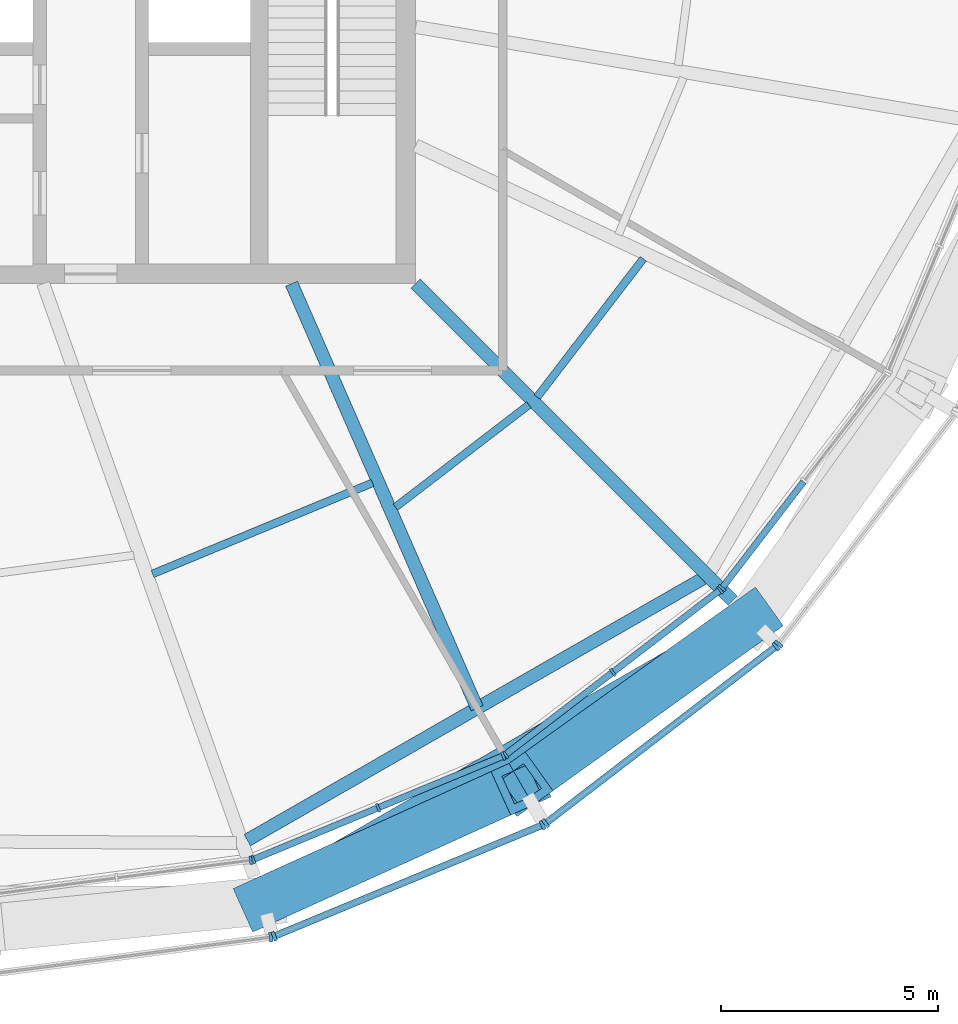
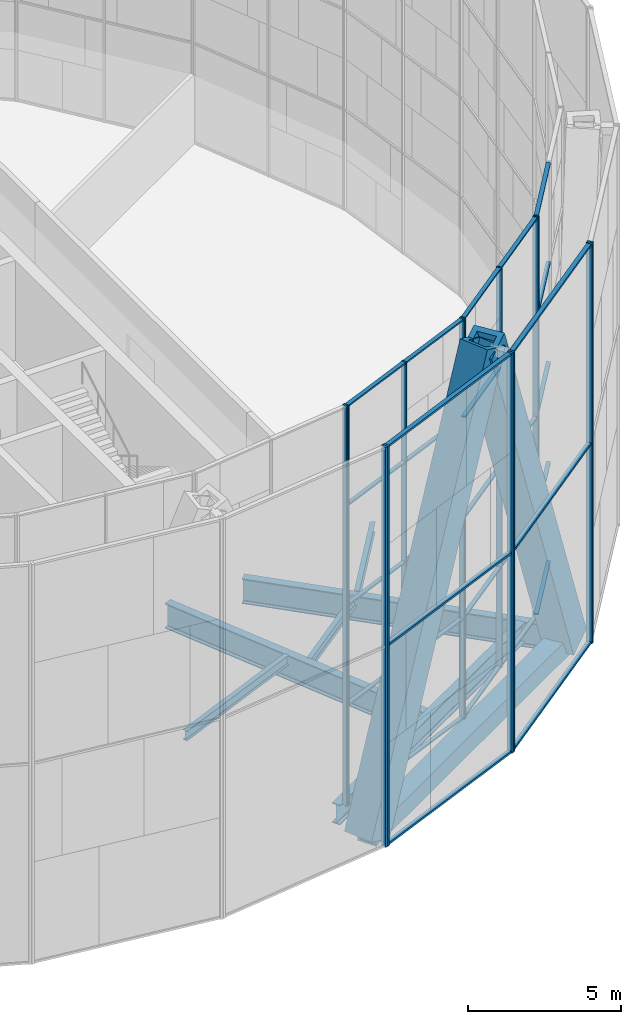
# One storey, part 5 of 30: 47 members, 7 beams, 8 elements without a shape of their own.
"""IFC4 building model written with IfcOpenShell, lengths in metres."""

from ifc_helpers import new_model, si_unit, direction, frame, origin, origin_2d, place, context, subcontext, project, spatial, rectangle, hollow_rectangle, i_section, extrude, material, material_profile, profile_set, type_object, element, aggregate, save


model = new_model("IFC4")

# Units and contexts
model_context = context("Model", 3, precision=1e-05, world=origin(), true_north=direction((0.0, 1.0)))
body_context = subcontext(model_context, "Body", "Model", "MODEL_VIEW")
ifc_project = project(units=[si_unit("LENGTHUNIT", "METRE"), si_unit("AREAUNIT", "SQUARE_METRE"), si_unit("VOLUMEUNIT", "CUBIC_METRE"), si_unit("PLANEANGLEUNIT", "RADIAN"), si_unit("MASSUNIT", "GRAM", prefix="KILO")], contexts=[model_context])

# Site, building, storey
site_placement = place(None, origin())
site = spatial("IfcSite", under=ifc_project, at=site_placement, CompositionType="ELEMENT")
building_placement = place(site_placement, origin())
building = spatial("IfcBuilding", under=site, at=building_placement, Name="Golbaran Civic Tower", CompositionType="ELEMENT")
storey_placement = place(building_placement, frame((0.0, 0.0, 167.0)))
storey = spatial("IfcBuildingStorey", under=building, at=storey_placement, Name="L40", CompositionType="ELEMENT", Elevation=167.0)

# Members
ifc_material_1 = material(Name="Steel S355", Category="steel")
ifc_material_profile_1 = material_profile(ifc_material_1, hollow_rectangle(XDim=1.10009765625, YDim=1.10009765625, WallThickness=0.199951171875, at=origin_2d()), Name="BOX 1100x1100x200")
ifc_profile_set_1 = profile_set([ifc_material_profile_1], Name="Steel S355")
member_type_1 = type_object("IfcMemberType", Name="DIAGRID DIAGONAL BOX 1100x1100x200", PredefinedType="BRACE", material=ifc_profile_set_1)
member_1_placement = place(storey_placement, frame((6.48681640625, -24.208984375, -0.7099609375), z_axis=(0.343627476497, 0.155753672162, 0.926099860169), x_axis=(-0.412834767347, 0.910805936997, 0.0)))
element("IfcMember", 1, at=member_1_placement, inside=storey, type_object=member_type_1, Name="Diagonal D09-09R L40-L44", PredefinedType="BRACE", context=body_context, shape_type="SweptSolid", body=[
    extrude(hollow_rectangle(XDim=1.10009765625, YDim=1.10009765625, WallThickness=0.199951171875, at=origin_2d()), origin(), (0.0, 0.0, 1.0), 17.27685546875),
])
member_2_placement = place(storey_placement, frame((17.72216796875, -17.72216796875, -0.7099609375), z_axis=(-0.306689856884, -0.21971220084, 0.926103601379), x_axis=(0.582374990121, -0.812920273386, 0.0)))
element("IfcMember", 2, at=member_2_placement, inside=storey, type_object=member_type_1, Name="Diagonal D09-10L L40-L44", PredefinedType="BRACE", context=body_context, shape_type="SweptSolid", body=[
    extrude(hollow_rectangle(XDim=1.10009765625, YDim=1.10009765625, WallThickness=0.199951171875, at=origin_2d()), origin(), (0.0, 0.0, 1.0), 17.276611328125),
])

# Beams
ifc_material_profile_2 = material_profile(ifc_material_1, hollow_rectangle(XDim=0.699951171875, YDim=0.699951171875, WallThickness=0.080078125, at=origin_2d()), Name="BOX 700x700x80")
ifc_profile_set_2 = profile_set([ifc_material_profile_2], Name="Steel S355")
beam_type_1 = type_object("IfcBeamType", Name="DIAGRID RING TIE BOX 700x700x80", PredefinedType="BEAM", material=ifc_profile_set_2)
beam_1_placement = place(storey_placement, frame((6.48681640625, -24.208984375, -0.7099609375), z_axis=(0.866022628259, 0.50000480732, 0.0), x_axis=(-0.50000480732, 0.866022628259, 0.0)))
element("IfcBeam", 3, at=beam_1_placement, inside=storey, type_object=beam_type_1, Name="Ring tie 285.00 L40", PredefinedType="BEAM", context=body_context, shape_type="SweptSolid", body=[
    extrude(hollow_rectangle(XDim=0.699951171875, YDim=0.699951171875, WallThickness=0.080078125, at=origin_2d()), origin(), (0.0, 0.0, 1.0), 12.973388671875),
])
ifc_material_profile_3 = material_profile(ifc_material_1, i_section(OverallWidth=0.300048828125, OverallDepth=0.800048828125, WebThickness=0.017578125, FlangeThickness=0.032958984375, FilletRadius=0.030029296875, at=origin_2d()), Name="HEB 800")
ifc_profile_set_3 = profile_set([ifc_material_profile_3], Name="Steel S355")
beam_type_2 = type_object("IfcBeamType", Name="EDGE BEAM HEB 800", PredefinedType="BEAM", material=ifc_profile_set_3)
beam_2_placement = place(storey_placement, frame((6.124755859375, -22.8046875, -0.60009765625), z_axis=(0.867231771738, 0.497904663654, 0.0), x_axis=(-0.497904663654, 0.867231771738, 0.0)))
element("IfcBeam", 4, at=beam_2_placement, inside=storey, type_object=beam_type_2, Name="Edge beam 285.00 L40", PredefinedType="BEAM", context=body_context, shape_type="SweptSolid", body=[
    extrude(i_section(OverallWidth=0.300048828125, OverallDepth=0.800048828125, WebThickness=0.017578125, FlangeThickness=0.032958984375, FilletRadius=0.030029296875, at=origin_2d()), origin(), (0.0, 0.0, 1.0), 12.083740234375),
])
ifc_material_profile_4 = material_profile(ifc_material_1, i_section(OverallWidth=0.179931640625, OverallDepth=0.39990234375, WebThickness=0.008544921875, FlangeThickness=0.013427734375, FilletRadius=0.02099609375, at=origin_2d()), Name="IPE 400")
ifc_profile_set_4 = profile_set([ifc_material_profile_4], Name="Steel S355")
beam_type_3 = type_object("IfcBeamType", Name="FLOOR INFILL BEAM IPE 400", PredefinedType="BEAM", material=ifc_profile_set_4)
beam_3_placement = place(storey_placement, frame((3.944580078125, -16.68017578125, -0.39990234375), z_axis=(0.923892433922, 0.382652284119, 0.0), x_axis=(-0.382652284119, 0.923892433922, 0.0)))
element("IfcBeam", 5, at=beam_3_placement, inside=storey, type_object=beam_type_3, Name="Infill beam 292.50 L40", PredefinedType="BEAM", context=body_context, shape_type="SweptSolid", body=[
    extrude(i_section(OverallWidth=0.179931640625, OverallDepth=0.39990234375, WebThickness=0.008544921875, FlangeThickness=0.013427734375, FilletRadius=0.02099609375, at=origin_2d()), origin(), (0.0, 0.0, 1.0), 5.4775390625),
])
beam_4_placement = place(storey_placement, frame((9.533447265625, -15.1435546875, -0.39990234375), z_axis=(0.793350421524, 0.608765232801, 0.0), x_axis=(-0.608765232801, 0.793350421524, 0.0)))
element("IfcBeam", 6, at=beam_4_placement, inside=storey, type_object=beam_type_3, Name="Infill beam 307.50 L40", PredefinedType="BEAM", context=body_context, shape_type="SweptSolid", body=[
    extrude(i_section(OverallWidth=0.179931640625, OverallDepth=0.39990234375, WebThickness=0.008544921875, FlangeThickness=0.013427734375, FilletRadius=0.02099609375, at=origin_2d()), origin(), (0.0, 0.0, 1.0), 3.8701171875),
])
beam_5_placement = place(storey_placement, frame((12.79345703125, -12.609619140625, -0.39990234375), z_axis=(0.608748404542, 0.793363334146, 0.0), x_axis=(-0.793363334146, 0.608748404542, 0.0)))
element("IfcBeam", 7, at=beam_5_placement, inside=storey, type_object=beam_type_3, Name="Infill beam 322.50 L40", PredefinedType="BEAM", context=body_context, shape_type="SweptSolid", body=[
    extrude(i_section(OverallWidth=0.179931640625, OverallDepth=0.39990234375, WebThickness=0.008544921875, FlangeThickness=0.013427734375, FilletRadius=0.02099609375, at=origin_2d()), origin(), (0.0, 0.0, 1.0), 4.010986328125),
])

# Curtain wall, member
ifc_material_2 = material(Name="Aluminium and glass", Category="aluminium")
curtain_wall_type_1 = type_object("IfcCurtainWallType", Name="INNER SKIN CURTAIN WALL EXECUTIVE", PredefinedType="NOTDEFINED", material=ifc_material_2)
curtain_wall_1_placement = place(storey_placement, origin())
curtain_wall_1 = element("IfcCurtainWall", 8, at=curtain_wall_1_placement, inside=storey, type_object=curtain_wall_type_1, Name="Inner skin L40 facet 19 CW2", ObjectType="INNER SKIN", PredefinedType="USERDEFINED")
ifc_material_3 = material(Name="Aluminium", Category="aluminium")
ifc_material_profile_5 = material_profile(ifc_material_3, rectangle(XDim=0.199951171875, YDim=0.06005859375, at=origin_2d()), Name="INNER SKIN CURTAIN WALL EXECUTIVE MULLION")
ifc_profile_set_5 = profile_set([ifc_material_profile_5], Name="Aluminium")
member_type_2 = type_object("IfcMemberType", Name="INNER SKIN CURTAIN WALL EXECUTIVE MULLION", PredefinedType="MULLION", material=ifc_profile_set_5)
member_3_placement = place(storey_placement, frame((6.203369140625, -23.266357421875, 0.0), z_axis=(0.0, 0.0, 1.0), x_axis=(-0.130526192151, 0.991444861383, 0.0)))
member_3 = element("IfcMember", 9, at=member_3_placement, type_object=member_type_2, Name="CW2 mullion 3", PredefinedType="MULLION", context=body_context, shape_type="SweptSolid", body=[
    extrude(rectangle(XDim=0.199951171875, YDim=0.06005859375, at=origin_2d()), origin(), (0.0, 0.0, 1.0), 16.0),
])
aggregate(curtain_wall_1, [member_3])

# Curtain wall, members
curtain_wall_2_placement = place(storey_placement, origin())
curtain_wall_2 = element("IfcCurtainWall", 10, at=curtain_wall_2_placement, inside=storey, type_object=curtain_wall_type_1, Name="Inner skin L40 facet 20 CW2", ObjectType="INNER SKIN", PredefinedType="USERDEFINED")
member_4_placement = place(storey_placement, frame((6.2607421875, -23.2509765625, 0.0), z_axis=(0.0, 0.0, 1.0), x_axis=(-0.382683432462, 0.923879532471, 0.0)))
member_4 = element("IfcMember", 11, at=member_4_placement, type_object=member_type_2, Name="CW2 mullion 1", PredefinedType="MULLION", context=body_context, shape_type="SweptSolid", body=[
    extrude(rectangle(XDim=0.199951171875, YDim=0.06005859375, at=origin_2d()), origin(), (0.0, 0.0, 1.0), 16.0),
])
member_5_placement = place(storey_placement, frame((9.13720703125, -22.059326171875, 0.0), z_axis=(0.0, 0.0, 1.0), x_axis=(-0.382683432462, 0.923879532471, 0.0)))
member_5 = element("IfcMember", 12, at=member_5_placement, type_object=member_type_2, Name="CW2 mullion 2", PredefinedType="MULLION", context=body_context, shape_type="SweptSolid", body=[
    extrude(rectangle(XDim=0.199951171875, YDim=0.06005859375, at=origin_2d()), origin(), (0.0, 0.0, 1.0), 16.0),
])
member_6_placement = place(storey_placement, frame((12.013671875, -20.867919921875, 0.0), z_axis=(0.0, 0.0, 1.0), x_axis=(-0.382683432462, 0.923879532471, 0.0)))
member_6 = element("IfcMember", 13, at=member_6_placement, type_object=member_type_2, Name="CW2 mullion 3", PredefinedType="MULLION", context=body_context, shape_type="SweptSolid", body=[
    extrude(rectangle(XDim=0.199951171875, YDim=0.06005859375, at=origin_2d()), origin(), (0.0, 0.0, 1.0), 16.0),
])

curtain_wall_3_placement = place(storey_placement, origin())
curtain_wall_3 = element("IfcCurtainWall", 14, at=curtain_wall_3_placement, inside=storey, type_object=curtain_wall_type_1, Name="Inner skin L40 facet 21 CW2", ObjectType="INNER SKIN", PredefinedType="USERDEFINED")
member_7_placement = place(storey_placement, frame((12.065185546875, -20.838134765625, 0.0), z_axis=(0.0, 0.0, 1.0), x_axis=(-0.608761429036, 0.79335334027, 0.0)))
member_7 = element("IfcMember", 15, at=member_7_placement, type_object=member_type_2, Name="CW2 mullion 1", PredefinedType="MULLION", context=body_context, shape_type="SweptSolid", body=[
    extrude(rectangle(XDim=0.199951171875, YDim=0.06005859375, at=origin_2d()), origin(), (0.0, 0.0, 1.0), 16.0),
])
member_8_placement = place(storey_placement, frame((14.535400390625, -18.94287109375, 0.0), z_axis=(0.0, 0.0, 1.0), x_axis=(-0.608761429036, 0.79335334027, 0.0)))
member_8 = element("IfcMember", 16, at=member_8_placement, type_object=member_type_2, Name="CW2 mullion 2", PredefinedType="MULLION", context=body_context, shape_type="SweptSolid", body=[
    extrude(rectangle(XDim=0.199951171875, YDim=0.06005859375, at=origin_2d()), origin(), (0.0, 0.0, 1.0), 16.0),
])
member_9_placement = place(storey_placement, frame((17.00537109375, -17.047607421875, 0.0), z_axis=(0.0, 0.0, 1.0), x_axis=(-0.608761429036, 0.79335334027, 0.0)))
member_9 = element("IfcMember", 17, at=member_9_placement, type_object=member_type_2, Name="CW2 mullion 3", PredefinedType="MULLION", context=body_context, shape_type="SweptSolid", body=[
    extrude(rectangle(XDim=0.199951171875, YDim=0.06005859375, at=origin_2d()), origin(), (0.0, 0.0, 1.0), 16.0),
])

# Curtain wall, member
curtain_wall_4_placement = place(storey_placement, origin())
curtain_wall_4 = element("IfcCurtainWall", 18, at=curtain_wall_4_placement, inside=storey, type_object=curtain_wall_type_1, Name="Inner skin L40 facet 22 CW2", ObjectType="INNER SKIN", PredefinedType="USERDEFINED")
member_10_placement = place(storey_placement, frame((17.047607421875, -17.00537109375, 0.0), z_axis=(0.0, 0.0, 1.0), x_axis=(-0.79335334027, 0.608761429036, 0.0)))
member_10 = element("IfcMember", 19, at=member_10_placement, type_object=member_type_2, Name="CW2 mullion 1", PredefinedType="MULLION", context=body_context, shape_type="SweptSolid", body=[
    extrude(rectangle(XDim=0.199951171875, YDim=0.06005859375, at=origin_2d()), origin(), (0.0, 0.0, 1.0), 16.0),
])

# Member
ifc_material_profile_6 = material_profile(ifc_material_3, rectangle(XDim=0.14990234375, YDim=0.06005859375, at=origin_2d()), Name="INNER SKIN CURTAIN WALL EXECUTIVE TRANSOM")
ifc_profile_set_6 = profile_set([ifc_material_profile_6], Name="Aluminium")
member_type_3 = type_object("IfcMemberType", Name="INNER SKIN CURTAIN WALL EXECUTIVE TRANSOM", PredefinedType="USERDEFINED", material=ifc_profile_set_6)
member_11_placement = place(storey_placement, frame((6.28857421875, -23.239501953125, 0.030029296875), z_axis=(0.923857982963, 0.382735453435, 0.0), x_axis=(-0.382735453435, 0.923857982963, 0.0)))
member_11 = element("IfcMember", 20, at=member_11_placement, type_object=member_type_3, Name="CW2 transom 1.1", ObjectType="TRANSOM", PredefinedType="USERDEFINED", context=body_context, shape_type="SweptSolid", body=[
    extrude(rectangle(XDim=0.14990234375, YDim=0.06005859375, at=origin_2d()), origin(), (0.0, 0.0, 1.0), 3.053466796875),
])

member_12_placement = place(storey_placement, frame((6.28857421875, -23.239501953125, 4.0), z_axis=(0.923857982963, 0.382735453435, 0.0), x_axis=(-0.382735453435, 0.923857982963, 0.0)))
member_12 = element("IfcMember", 21, at=member_12_placement, type_object=member_type_3, Name="CW2 transom 1.2", ObjectType="TRANSOM", PredefinedType="USERDEFINED", context=body_context, shape_type="SweptSolid", body=[
    extrude(rectangle(XDim=0.14990234375, YDim=0.06005859375, at=origin_2d()), origin(), (0.0, 0.0, 1.0), 3.053466796875),
])

member_13_placement = place(storey_placement, frame((6.28857421875, -23.239501953125, 8.0), z_axis=(0.923857982963, 0.382735453435, 0.0), x_axis=(-0.382735453435, 0.923857982963, 0.0)))
member_13 = element("IfcMember", 22, at=member_13_placement, type_object=member_type_3, Name="CW2 transom 1.3", ObjectType="TRANSOM", PredefinedType="USERDEFINED", context=body_context, shape_type="SweptSolid", body=[
    extrude(rectangle(XDim=0.14990234375, YDim=0.06005859375, at=origin_2d()), origin(), (0.0, 0.0, 1.0), 3.053466796875),
])

member_14_placement = place(storey_placement, frame((6.28857421875, -23.239501953125, 12.0), z_axis=(0.923857982963, 0.382735453435, 0.0), x_axis=(-0.382735453435, 0.923857982963, 0.0)))
member_14 = element("IfcMember", 23, at=member_14_placement, type_object=member_type_3, Name="CW2 transom 1.4", ObjectType="TRANSOM", PredefinedType="USERDEFINED", context=body_context, shape_type="SweptSolid", body=[
    extrude(rectangle(XDim=0.14990234375, YDim=0.06005859375, at=origin_2d()), origin(), (0.0, 0.0, 1.0), 3.053466796875),
])

member_15_placement = place(storey_placement, frame((6.28857421875, -23.239501953125, 15.969970703125), z_axis=(0.923857982963, 0.382735453435, 0.0), x_axis=(-0.382735453435, 0.923857982963, 0.0)))
member_15 = element("IfcMember", 24, at=member_15_placement, type_object=member_type_3, Name="CW2 transom 1.5", ObjectType="TRANSOM", PredefinedType="USERDEFINED", context=body_context, shape_type="SweptSolid", body=[
    extrude(rectangle(XDim=0.14990234375, YDim=0.06005859375, at=origin_2d()), origin(), (0.0, 0.0, 1.0), 3.053466796875),
])

member_16_placement = place(storey_placement, frame((9.1650390625, -22.0478515625, 0.030029296875), z_axis=(0.923886252177, 0.382667209253, 0.0), x_axis=(-0.382667209253, 0.923886252177, 0.0)))
member_16 = element("IfcMember", 25, at=member_16_placement, type_object=member_type_3, Name="CW2 transom 2.1", ObjectType="TRANSOM", PredefinedType="USERDEFINED", context=body_context, shape_type="SweptSolid", body=[
    extrude(rectangle(XDim=0.14990234375, YDim=0.06005859375, at=origin_2d()), origin(), (0.0, 0.0, 1.0), 3.053466796875),
])

member_17_placement = place(storey_placement, frame((9.1650390625, -22.0478515625, 4.0), z_axis=(0.923886252177, 0.382667209253, 0.0), x_axis=(-0.382667209253, 0.923886252177, 0.0)))
member_17 = element("IfcMember", 26, at=member_17_placement, type_object=member_type_3, Name="CW2 transom 2.2", ObjectType="TRANSOM", PredefinedType="USERDEFINED", context=body_context, shape_type="SweptSolid", body=[
    extrude(rectangle(XDim=0.14990234375, YDim=0.06005859375, at=origin_2d()), origin(), (0.0, 0.0, 1.0), 3.053466796875),
])

member_18_placement = place(storey_placement, frame((9.1650390625, -22.0478515625, 8.0), z_axis=(0.923886252177, 0.382667209253, 0.0), x_axis=(-0.382667209253, 0.923886252177, 0.0)))
member_18 = element("IfcMember", 27, at=member_18_placement, type_object=member_type_3, Name="CW2 transom 2.3", ObjectType="TRANSOM", PredefinedType="USERDEFINED", context=body_context, shape_type="SweptSolid", body=[
    extrude(rectangle(XDim=0.14990234375, YDim=0.06005859375, at=origin_2d()), origin(), (0.0, 0.0, 1.0), 3.053466796875),
])

member_19_placement = place(storey_placement, frame((9.1650390625, -22.0478515625, 12.0), z_axis=(0.923886252177, 0.382667209253, 0.0), x_axis=(-0.382667209253, 0.923886252177, 0.0)))
member_19 = element("IfcMember", 28, at=member_19_placement, type_object=member_type_3, Name="CW2 transom 2.4", ObjectType="TRANSOM", PredefinedType="USERDEFINED", context=body_context, shape_type="SweptSolid", body=[
    extrude(rectangle(XDim=0.14990234375, YDim=0.06005859375, at=origin_2d()), origin(), (0.0, 0.0, 1.0), 3.053466796875),
])

member_20_placement = place(storey_placement, frame((9.1650390625, -22.0478515625, 15.969970703125), z_axis=(0.923886252177, 0.382667209253, 0.0), x_axis=(-0.382667209253, 0.923886252177, 0.0)))
member_20 = element("IfcMember", 29, at=member_20_placement, type_object=member_type_3, Name="CW2 transom 2.5", ObjectType="TRANSOM", PredefinedType="USERDEFINED", context=body_context, shape_type="SweptSolid", body=[
    extrude(rectangle(XDim=0.14990234375, YDim=0.06005859375, at=origin_2d()), origin(), (0.0, 0.0, 1.0), 3.053466796875),
])

aggregate(curtain_wall_2, [member_4, member_5, member_6, member_11, member_12, member_13, member_14, member_15, member_16, member_17, member_18, member_19, member_20])

member_21_placement = place(storey_placement, frame((12.089111328125, -20.820068359375, 0.030029296875), z_axis=(0.793330879625, 0.6087906992, 0.0), x_axis=(-0.6087906992, 0.793330879625, 0.0)))
member_21 = element("IfcMember", 30, at=member_21_placement, type_object=member_type_3, Name="CW2 transom 1.1", ObjectType="TRANSOM", PredefinedType="USERDEFINED", context=body_context, shape_type="SweptSolid", body=[
    extrude(rectangle(XDim=0.14990234375, YDim=0.06005859375, at=origin_2d()), origin(), (0.0, 0.0, 1.0), 3.053466796875),
])

member_22_placement = place(storey_placement, frame((12.089111328125, -20.820068359375, 4.0), z_axis=(0.793330879625, 0.6087906992, 0.0), x_axis=(-0.6087906992, 0.793330879625, 0.0)))
member_22 = element("IfcMember", 31, at=member_22_placement, type_object=member_type_3, Name="CW2 transom 1.2", ObjectType="TRANSOM", PredefinedType="USERDEFINED", context=body_context, shape_type="SweptSolid", body=[
    extrude(rectangle(XDim=0.14990234375, YDim=0.06005859375, at=origin_2d()), origin(), (0.0, 0.0, 1.0), 3.053466796875),
])

member_23_placement = place(storey_placement, frame((12.089111328125, -20.820068359375, 8.0), z_axis=(0.793330879625, 0.6087906992, 0.0), x_axis=(-0.6087906992, 0.793330879625, 0.0)))
member_23 = element("IfcMember", 32, at=member_23_placement, type_object=member_type_3, Name="CW2 transom 1.3", ObjectType="TRANSOM", PredefinedType="USERDEFINED", context=body_context, shape_type="SweptSolid", body=[
    extrude(rectangle(XDim=0.14990234375, YDim=0.06005859375, at=origin_2d()), origin(), (0.0, 0.0, 1.0), 3.053466796875),
])

member_24_placement = place(storey_placement, frame((12.089111328125, -20.820068359375, 12.0), z_axis=(0.793330879625, 0.6087906992, 0.0), x_axis=(-0.6087906992, 0.793330879625, 0.0)))
member_24 = element("IfcMember", 33, at=member_24_placement, type_object=member_type_3, Name="CW2 transom 1.4", ObjectType="TRANSOM", PredefinedType="USERDEFINED", context=body_context, shape_type="SweptSolid", body=[
    extrude(rectangle(XDim=0.14990234375, YDim=0.06005859375, at=origin_2d()), origin(), (0.0, 0.0, 1.0), 3.053466796875),
])

member_25_placement = place(storey_placement, frame((12.089111328125, -20.820068359375, 15.969970703125), z_axis=(0.793330879625, 0.6087906992, 0.0), x_axis=(-0.6087906992, 0.793330879625, 0.0)))
member_25 = element("IfcMember", 34, at=member_25_placement, type_object=member_type_3, Name="CW2 transom 1.5", ObjectType="TRANSOM", PredefinedType="USERDEFINED", context=body_context, shape_type="SweptSolid", body=[
    extrude(rectangle(XDim=0.14990234375, YDim=0.06005859375, at=origin_2d()), origin(), (0.0, 0.0, 1.0), 3.053466796875),
])

member_26_placement = place(storey_placement, frame((14.55908203125, -18.924560546875, 0.030029296875), z_axis=(0.793360510866, 0.60875208402, 0.0), x_axis=(-0.60875208402, 0.793360510866, 0.0)))
member_26 = element("IfcMember", 35, at=member_26_placement, type_object=member_type_3, Name="CW2 transom 2.1", ObjectType="TRANSOM", PredefinedType="USERDEFINED", context=body_context, shape_type="SweptSolid", body=[
    extrude(rectangle(XDim=0.14990234375, YDim=0.06005859375, at=origin_2d()), origin(), (0.0, 0.0, 1.0), 3.0537109375),
])

member_27_placement = place(storey_placement, frame((14.55908203125, -18.924560546875, 4.0), z_axis=(0.793360510866, 0.60875208402, 0.0), x_axis=(-0.60875208402, 0.793360510866, 0.0)))
member_27 = element("IfcMember", 36, at=member_27_placement, type_object=member_type_3, Name="CW2 transom 2.2", ObjectType="TRANSOM", PredefinedType="USERDEFINED", context=body_context, shape_type="SweptSolid", body=[
    extrude(rectangle(XDim=0.14990234375, YDim=0.06005859375, at=origin_2d()), origin(), (0.0, 0.0, 1.0), 3.0537109375),
])

member_28_placement = place(storey_placement, frame((14.55908203125, -18.924560546875, 8.0), z_axis=(0.793360510866, 0.60875208402, 0.0), x_axis=(-0.60875208402, 0.793360510866, 0.0)))
member_28 = element("IfcMember", 37, at=member_28_placement, type_object=member_type_3, Name="CW2 transom 2.3", ObjectType="TRANSOM", PredefinedType="USERDEFINED", context=body_context, shape_type="SweptSolid", body=[
    extrude(rectangle(XDim=0.14990234375, YDim=0.06005859375, at=origin_2d()), origin(), (0.0, 0.0, 1.0), 3.0537109375),
])

member_29_placement = place(storey_placement, frame((14.55908203125, -18.924560546875, 12.0), z_axis=(0.793360510866, 0.60875208402, 0.0), x_axis=(-0.60875208402, 0.793360510866, 0.0)))
member_29 = element("IfcMember", 38, at=member_29_placement, type_object=member_type_3, Name="CW2 transom 2.4", ObjectType="TRANSOM", PredefinedType="USERDEFINED", context=body_context, shape_type="SweptSolid", body=[
    extrude(rectangle(XDim=0.14990234375, YDim=0.06005859375, at=origin_2d()), origin(), (0.0, 0.0, 1.0), 3.0537109375),
])

member_30_placement = place(storey_placement, frame((14.55908203125, -18.924560546875, 15.969970703125), z_axis=(0.793360510866, 0.60875208402, 0.0), x_axis=(-0.60875208402, 0.793360510866, 0.0)))
member_30 = element("IfcMember", 39, at=member_30_placement, type_object=member_type_3, Name="CW2 transom 2.5", ObjectType="TRANSOM", PredefinedType="USERDEFINED", context=body_context, shape_type="SweptSolid", body=[
    extrude(rectangle(XDim=0.14990234375, YDim=0.06005859375, at=origin_2d()), origin(), (0.0, 0.0, 1.0), 3.0537109375),
])

aggregate(curtain_wall_3, [member_7, member_8, member_9, member_21, member_22, member_23, member_24, member_25, member_26, member_27, member_28, member_29, member_30])

member_31_placement = place(storey_placement, frame((17.065673828125, -16.981689453125, 0.030029296875), z_axis=(0.60875208402, 0.793360510866, 0.0), x_axis=(-0.793360510866, 0.60875208402, 0.0)))
member_31 = element("IfcMember", 40, at=member_31_placement, type_object=member_type_3, Name="CW2 transom 1.1", ObjectType="TRANSOM", PredefinedType="USERDEFINED", context=body_context, shape_type="SweptSolid", body=[
    extrude(rectangle(XDim=0.14990234375, YDim=0.06005859375, at=origin_2d()), origin(), (0.0, 0.0, 1.0), 3.0537109375),
])

member_32_placement = place(storey_placement, frame((17.065673828125, -16.981689453125, 4.0), z_axis=(0.60875208402, 0.793360510866, 0.0), x_axis=(-0.793360510866, 0.60875208402, 0.0)))
member_32 = element("IfcMember", 41, at=member_32_placement, type_object=member_type_3, Name="CW2 transom 1.2", ObjectType="TRANSOM", PredefinedType="USERDEFINED", context=body_context, shape_type="SweptSolid", body=[
    extrude(rectangle(XDim=0.14990234375, YDim=0.06005859375, at=origin_2d()), origin(), (0.0, 0.0, 1.0), 3.0537109375),
])

member_33_placement = place(storey_placement, frame((17.065673828125, -16.981689453125, 8.0), z_axis=(0.60875208402, 0.793360510866, 0.0), x_axis=(-0.793360510866, 0.60875208402, 0.0)))
member_33 = element("IfcMember", 42, at=member_33_placement, type_object=member_type_3, Name="CW2 transom 1.3", ObjectType="TRANSOM", PredefinedType="USERDEFINED", context=body_context, shape_type="SweptSolid", body=[
    extrude(rectangle(XDim=0.14990234375, YDim=0.06005859375, at=origin_2d()), origin(), (0.0, 0.0, 1.0), 3.0537109375),
])

member_34_placement = place(storey_placement, frame((17.065673828125, -16.981689453125, 12.0), z_axis=(0.60875208402, 0.793360510866, 0.0), x_axis=(-0.793360510866, 0.60875208402, 0.0)))
member_34 = element("IfcMember", 43, at=member_34_placement, type_object=member_type_3, Name="CW2 transom 1.4", ObjectType="TRANSOM", PredefinedType="USERDEFINED", context=body_context, shape_type="SweptSolid", body=[
    extrude(rectangle(XDim=0.14990234375, YDim=0.06005859375, at=origin_2d()), origin(), (0.0, 0.0, 1.0), 3.0537109375),
])

member_35_placement = place(storey_placement, frame((17.065673828125, -16.981689453125, 15.969970703125), z_axis=(0.60875208402, 0.793360510866, 0.0), x_axis=(-0.793360510866, 0.60875208402, 0.0)))
member_35 = element("IfcMember", 44, at=member_35_placement, type_object=member_type_3, Name="CW2 transom 1.5", ObjectType="TRANSOM", PredefinedType="USERDEFINED", context=body_context, shape_type="SweptSolid", body=[
    extrude(rectangle(XDim=0.14990234375, YDim=0.06005859375, at=origin_2d()), origin(), (0.0, 0.0, 1.0), 3.0537109375),
])

aggregate(curtain_wall_4, [member_10, member_31, member_32, member_33, member_34, member_35])

# Curtain wall, member
curtain_wall_type_2 = type_object("IfcCurtainWallType", Name="OUTER SKIN TERRACOTTA SCREEN", PredefinedType="NOTDEFINED", material=ifc_material_2)
curtain_wall_5_placement = place(storey_placement, origin())
curtain_wall_5 = element("IfcCurtainWall", 45, at=curtain_wall_5_placement, inside=storey, type_object=curtain_wall_type_2, Name="Outer skin L40 facet 19 CW3", ObjectType="OUTER SKIN", PredefinedType="USERDEFINED")
ifc_material_profile_7 = material_profile(ifc_material_3, rectangle(XDim=0.219970703125, YDim=0.080078125, at=origin_2d()), Name="OUTER SKIN TERRACOTTA SCREEN MULLION")
ifc_profile_set_7 = profile_set([ifc_material_profile_7], Name="Aluminium")
member_type_4 = type_object("IfcMemberType", Name="OUTER SKIN TERRACOTTA SCREEN MULLION", PredefinedType="MULLION", material=ifc_profile_set_7)
member_36_placement = place(storey_placement, frame((6.667236328125, -25.03515625, -0.7099609375), z_axis=(0.0, 0.0, 1.0), x_axis=(-0.130526192168, 0.991444861381, 0.0)))
member_36 = element("IfcMember", 46, at=member_36_placement, type_object=member_type_4, Name="CW3 mullion 2", PredefinedType="MULLION", context=body_context, shape_type="SweptSolid", body=[
    extrude(rectangle(XDim=0.219970703125, YDim=0.080078125, at=origin_2d()), origin(), (0.0, 0.0, 1.0), 16.0),
])
aggregate(curtain_wall_5, [member_36])

# Curtain wall, members
curtain_wall_6_placement = place(storey_placement, origin())
curtain_wall_6 = element("IfcCurtainWall", 47, at=curtain_wall_6_placement, inside=storey, type_object=curtain_wall_type_2, Name="Outer skin L40 facet 20 CW3", ObjectType="OUTER SKIN", PredefinedType="USERDEFINED")
member_37_placement = place(storey_placement, frame((6.74365234375, -25.0146484375, -0.7099609375), z_axis=(0.0, 0.0, 1.0), x_axis=(-0.382683432462, 0.923879532471, 0.0)))
member_37 = element("IfcMember", 48, at=member_37_placement, type_object=member_type_4, Name="CW3 mullion 1", PredefinedType="MULLION", context=body_context, shape_type="SweptSolid", body=[
    extrude(rectangle(XDim=0.219970703125, YDim=0.080078125, at=origin_2d()), origin(), (0.0, 0.0, 1.0), 16.0),
])
member_38_placement = place(storey_placement, frame((12.91943359375, -22.45654296875, -0.7099609375), z_axis=(0.0, 0.0, 1.0), x_axis=(-0.382683432462, 0.923879532471, 0.0)))
member_38 = element("IfcMember", 49, at=member_38_placement, type_object=member_type_4, Name="CW3 mullion 2", PredefinedType="MULLION", context=body_context, shape_type="SweptSolid", body=[
    extrude(rectangle(XDim=0.219970703125, YDim=0.080078125, at=origin_2d()), origin(), (0.0, 0.0, 1.0), 16.0),
])

curtain_wall_7_placement = place(storey_placement, origin())
curtain_wall_7 = element("IfcCurtainWall", 50, at=curtain_wall_7_placement, inside=storey, type_object=curtain_wall_type_2, Name="Outer skin L40 facet 21 CW3", ObjectType="OUTER SKIN", PredefinedType="USERDEFINED")
member_39_placement = place(storey_placement, frame((12.98828125, -22.4169921875, -0.7099609375), z_axis=(0.0, 0.0, 1.0), x_axis=(-0.608761428967, 0.793353340323, 0.0)))
member_39 = element("IfcMember", 51, at=member_39_placement, type_object=member_type_4, Name="CW3 mullion 1", PredefinedType="MULLION", context=body_context, shape_type="SweptSolid", body=[
    extrude(rectangle(XDim=0.219970703125, YDim=0.080078125, at=origin_2d()), origin(), (0.0, 0.0, 1.0), 16.0),
])
member_40_placement = place(storey_placement, frame((18.29150390625, -18.34765625, -0.7099609375), z_axis=(0.0, 0.0, 1.0), x_axis=(-0.608761428967, 0.793353340323, 0.0)))
member_40 = element("IfcMember", 52, at=member_40_placement, type_object=member_type_4, Name="CW3 mullion 2", PredefinedType="MULLION", context=body_context, shape_type="SweptSolid", body=[
    extrude(rectangle(XDim=0.219970703125, YDim=0.080078125, at=origin_2d()), origin(), (0.0, 0.0, 1.0), 16.0),
])

# Curtain wall, member
curtain_wall_8_placement = place(storey_placement, origin())
curtain_wall_8 = element("IfcCurtainWall", 53, at=curtain_wall_8_placement, inside=storey, type_object=curtain_wall_type_2, Name="Outer skin L40 facet 22 CW3", ObjectType="OUTER SKIN", PredefinedType="USERDEFINED")
member_41_placement = place(storey_placement, frame((18.34765625, -18.29150390625, -0.7099609375), z_axis=(0.0, 0.0, 1.0), x_axis=(-0.793353340323, 0.608761428967, 0.0)))
member_41 = element("IfcMember", 54, at=member_41_placement, type_object=member_type_4, Name="CW3 mullion 1", PredefinedType="MULLION", context=body_context, shape_type="SweptSolid", body=[
    extrude(rectangle(XDim=0.219970703125, YDim=0.080078125, at=origin_2d()), origin(), (0.0, 0.0, 1.0), 16.0),
])
aggregate(curtain_wall_8, [member_41])

# Member
ifc_material_profile_8 = material_profile(ifc_material_3, rectangle(XDim=0.159912109375, YDim=0.080078125, at=origin_2d()), Name="OUTER SKIN TERRACOTTA SCREEN TRANSOM")
ifc_profile_set_8 = profile_set([ifc_material_profile_8], Name="Aluminium")
member_type_5 = type_object("IfcMemberType", Name="OUTER SKIN TERRACOTTA SCREEN TRANSOM", PredefinedType="USERDEFINED", material=ifc_profile_set_8)
member_42_placement = place(storey_placement, frame((6.78076171875, -24.99951171875, -0.669921875), z_axis=(0.923872207905, 0.38270111505, 0.0), x_axis=(-0.38270111505, 0.923872207905, 0.0)))
member_42 = element("IfcMember", 55, at=member_42_placement, type_object=member_type_5, Name="CW3 transom 1.1", ObjectType="TRANSOM", PredefinedType="USERDEFINED", context=body_context, shape_type="SweptSolid", body=[
    extrude(rectangle(XDim=0.159912109375, YDim=0.080078125, at=origin_2d()), origin(), (0.0, 0.0, 1.0), 6.6044921875),
])

member_43_placement = place(storey_placement, frame((6.78076171875, -24.99951171875, 7.2900390625), z_axis=(0.923872207905, 0.38270111505, 0.0), x_axis=(-0.38270111505, 0.923872207905, 0.0)))
member_43 = element("IfcMember", 56, at=member_43_placement, type_object=member_type_5, Name="CW3 transom 1.2", ObjectType="TRANSOM", PredefinedType="USERDEFINED", context=body_context, shape_type="SweptSolid", body=[
    extrude(rectangle(XDim=0.159912109375, YDim=0.080078125, at=origin_2d()), origin(), (0.0, 0.0, 1.0), 6.6044921875),
])

member_44_placement = place(storey_placement, frame((6.78076171875, -24.99951171875, 15.25), z_axis=(0.923872207905, 0.38270111505, 0.0), x_axis=(-0.38270111505, 0.923872207905, 0.0)))
member_44 = element("IfcMember", 57, at=member_44_placement, type_object=member_type_5, Name="CW3 transom 1.3", ObjectType="TRANSOM", PredefinedType="USERDEFINED", context=body_context, shape_type="SweptSolid", body=[
    extrude(rectangle(XDim=0.159912109375, YDim=0.080078125, at=origin_2d()), origin(), (0.0, 0.0, 1.0), 6.6044921875),
])

aggregate(curtain_wall_6, [member_37, member_38, member_42, member_43, member_44])

member_45_placement = place(storey_placement, frame((13.02001953125, -22.392578125, -0.669921875), z_axis=(0.793359978316, 0.608752778069, 0.0), x_axis=(-0.608752778069, 0.793359978316, 0.0)))
member_45 = element("IfcMember", 58, at=member_45_placement, type_object=member_type_5, Name="CW3 transom 1.1", ObjectType="TRANSOM", PredefinedType="USERDEFINED", context=body_context, shape_type="SweptSolid", body=[
    extrude(rectangle(XDim=0.159912109375, YDim=0.080078125, at=origin_2d()), origin(), (0.0, 0.0, 1.0), 6.6044921875),
])

member_46_placement = place(storey_placement, frame((13.02001953125, -22.392578125, 7.2900390625), z_axis=(0.793359978316, 0.608752778069, 0.0), x_axis=(-0.608752778069, 0.793359978316, 0.0)))
member_46 = element("IfcMember", 59, at=member_46_placement, type_object=member_type_5, Name="CW3 transom 1.2", ObjectType="TRANSOM", PredefinedType="USERDEFINED", context=body_context, shape_type="SweptSolid", body=[
    extrude(rectangle(XDim=0.159912109375, YDim=0.080078125, at=origin_2d()), origin(), (0.0, 0.0, 1.0), 6.6044921875),
])

member_47_placement = place(storey_placement, frame((13.02001953125, -22.392578125, 15.25), z_axis=(0.793359978316, 0.608752778069, 0.0), x_axis=(-0.608752778069, 0.793359978316, 0.0)))
member_47 = element("IfcMember", 60, at=member_47_placement, type_object=member_type_5, Name="CW3 transom 1.3", ObjectType="TRANSOM", PredefinedType="USERDEFINED", context=body_context, shape_type="SweptSolid", body=[
    extrude(rectangle(XDim=0.159912109375, YDim=0.080078125, at=origin_2d()), origin(), (0.0, 0.0, 1.0), 6.6044921875),
])

aggregate(curtain_wall_7, [member_39, member_40, member_45, member_46, member_47])

# Beams
ifc_material_profile_9 = material_profile(ifc_material_1, i_section(OverallWidth=0.300048828125, OverallDepth=1.0, WebThickness=0.01904296875, FlangeThickness=0.035888671875, FilletRadius=0.030029296875, at=origin_2d()), Name="HEB 1000")
ifc_profile_set_9 = profile_set([ifc_material_profile_9], Name="Steel S355")
beam_type_4 = type_object("IfcBeamType", Name="RADIAL FLOOR BEAM HEB 1000", PredefinedType="BEAM", material=ifc_profile_set_9)
beam_6_placement = place(storey_placement, frame((10.0, -10.0, -0.7099609375), z_axis=(0.707106781187, -0.707106781187, 0.0), x_axis=(0.707106781187, 0.707106781187, 0.0)))
element("IfcBeam", 61, at=beam_6_placement, inside=storey, type_object=beam_type_4, Name="Radial beam 315.00 L40", PredefinedType="BEAM", context=body_context, shape_type="SweptSolid", body=[
    extrude(i_section(OverallWidth=0.300048828125, OverallDepth=1.0, WebThickness=0.01904296875, FlangeThickness=0.035888671875, FilletRadius=0.030029296875, at=origin_2d()), origin(), (0.0, 0.0, 1.0), 10.317626953125),
])
ifc_material_profile_10 = material_profile(ifc_material_1, i_section(OverallWidth=0.300048828125, OverallDepth=1.0, WebThickness=0.01904296875, FlangeThickness=0.035888671875, FilletRadius=0.030029296875, at=origin_2d()), Name="HEB 1000")
ifc_profile_set_10 = profile_set([ifc_material_profile_10], Name="Steel S355")
beam_type_5 = type_object("IfcBeamType", Name="SECONDARY FLOOR BEAM HEB 1000", PredefinedType="BEAM", material=ifc_profile_set_10)
beam_7_placement = place(storey_placement, frame((7.142822265625, -10.0, -0.7099609375), z_axis=(0.400572547153, -0.916265045971, 0.0), x_axis=(0.916265045971, 0.400572547153, 0.0)))
element("IfcBeam", 62, at=beam_7_placement, inside=storey, type_object=beam_type_5, Name="Secondary beam 300.00 L40", PredefinedType="BEAM", context=body_context, shape_type="SweptSolid", body=[
    extrude(i_section(OverallWidth=0.300048828125, OverallDepth=1.0, WebThickness=0.01904296875, FlangeThickness=0.035888671875, FilletRadius=0.030029296875, at=origin_2d()), origin(), (0.0, 0.0, 1.0), 10.660888671875),
])

save(model, "model.ifc")
